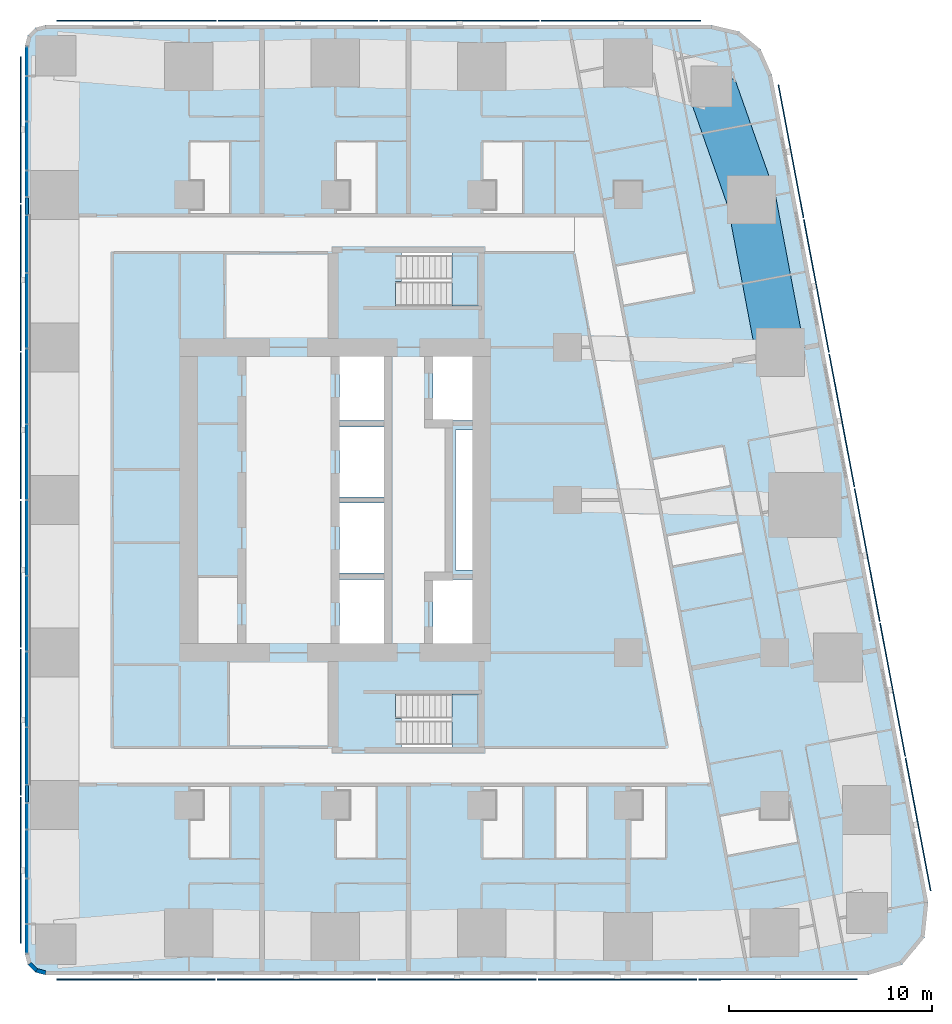
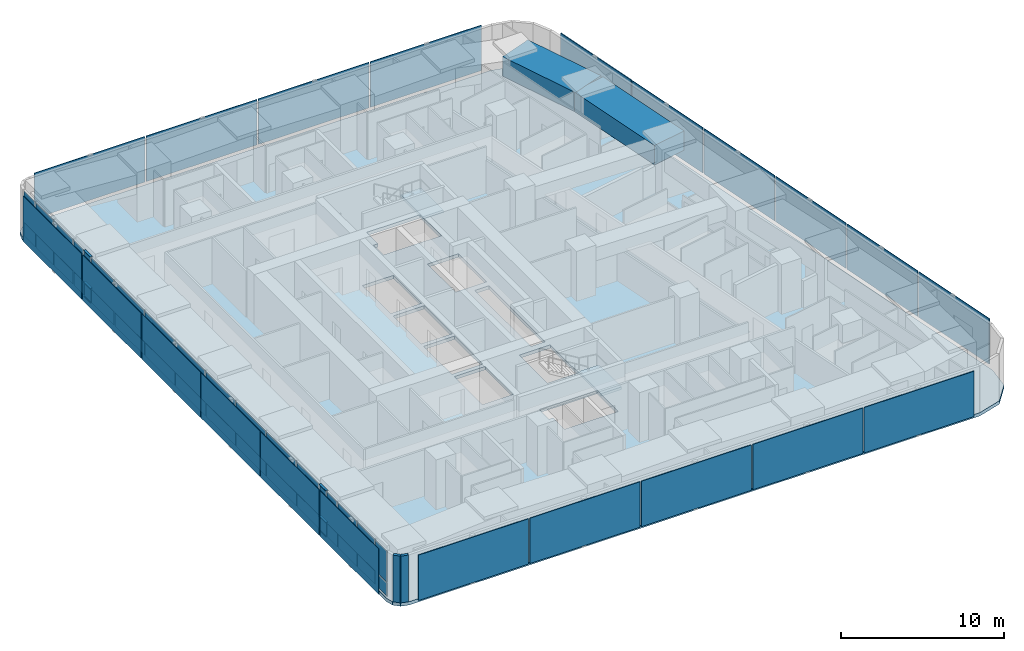
# One storey, part 6 of 17: 57 plates, 6 members, 3 slabs, 2 beams, 2 walls, 3 elements without a shape of their own.
"""IFC4 building model written with IfcOpenShell, lengths in metres."""

from ifc_helpers import new_model, si_unit, direction, frame, frame_2d, origin, origin_2d, place, context, subcontext, project, spatial, polyline, rectangle, outline, extrude, material, layer, layer_set, material_profile, profile_set, type_object, element, aggregate, save


model = new_model("IFC4")

# Units and contexts
model_context = context("Model", 3, precision=1e-05, world=origin(), true_north=direction((0.0, 1.0)))
body_context = subcontext(model_context, "Body", "Model", "MODEL_VIEW")
ifc_project = project(units=[si_unit("LENGTHUNIT", "METRE"), si_unit("AREAUNIT", "SQUARE_METRE"), si_unit("VOLUMEUNIT", "CUBIC_METRE"), si_unit("PLANEANGLEUNIT", "RADIAN"), si_unit("MASSUNIT", "GRAM", prefix="KILO")], contexts=[model_context])

# Site, building, storey
site_placement = place(None, origin())
site = spatial("IfcSite", under=ifc_project, at=site_placement, CompositionType="ELEMENT")
building_placement = place(site_placement, origin())
building = spatial("IfcBuilding", under=site, at=building_placement, Name="Sheger Commons Tower", CompositionType="ELEMENT")
storey_placement = place(building_placement, frame((0.0, 0.0, 208.699951171875)))
storey = spatial("IfcBuildingStorey", under=building, at=storey_placement, Name="L53", CompositionType="ELEMENT", Elevation=208.699951171875)

# Beams
ifc_material_1 = material(Name="Concrete C50/60", Category="concrete")
ifc_material_profile_1 = material_profile(ifc_material_1, rectangle(XDim=2.39990234375, YDim=1.449951171875, at=origin_2d()), Name="RC 2400x1450")
ifc_profile_set_1 = profile_set([ifc_material_profile_1], Name="Concrete C50/60")
beam_type = type_object("IfcBeamType", Name="SPANDREL RC 2400x1450", PredefinedType="SPANDREL", material=ifc_profile_set_1)
beam_1_placement = place(storey_placement, frame((43.47998046875, 29.762939453125, 2.775146484375), z_axis=(-0.18552441405, 0.982639655108, 0.0), x_axis=(-0.982639655108, -0.18552441405, 0.0)))
element("IfcBeam", 1, at=beam_1_placement, inside=storey, type_object=beam_type, Name="Beam E/E-E/F under L54", PredefinedType="SPANDREL", context=body_context, shape_type="SweptSolid", body=[
    extrude(rectangle(XDim=2.39990234375, YDim=1.449951171875, at=origin_2d()), origin(), (0.0, 0.0, 1.0), 7.632568359375),
])
beam_2_placement = place(storey_placement, frame((42.06396484375, 37.262939453125, 2.775146484375), z_axis=(-0.332374403357, 0.943147526102, 0.0), x_axis=(-0.943147526102, -0.332374403357, 0.0)))
element("IfcBeam", 2, at=beam_2_placement, inside=storey, type_object=beam_type, Name="Beam E/F-41.490,44.505 under L54", PredefinedType="SPANDREL", context=body_context, shape_type="SweptSolid", body=[
    extrude(rectangle(XDim=2.39990234375, YDim=1.449951171875, at=origin_2d()), origin(), (0.0, 0.0, 1.0), 5.90283203125),
])

# Curtain wall, members, plates
ifc_material_2 = material(Name="Black aluminium curtain wall, dark tinted glazing", Category="aluminium")
curtain_wall_type = type_object("IfcCurtainWallType", Name="CURTAIN WALL CW4 GALLERY", PredefinedType="USERDEFINED", material=ifc_material_2)
curtain_wall_placement = place(storey_placement, origin())
curtain_wall = element("IfcCurtainWall", 3, at=curtain_wall_placement, inside=storey, type_object=curtain_wall_type, Name="Curtain Wall Cw4 Gallery W1 L53", ObjectType="UNITISED CURTAIN WALL", PredefinedType="USERDEFINED")
ifc_material_3 = material(Name="Black anodised aluminium", Category="aluminium")
ifc_material_profile_2 = material_profile(ifc_material_3, rectangle(XDim=0.14990234375, YDim=0.06494140625, at=origin_2d()), Name="AL 65x150")
ifc_profile_set_2 = profile_set([ifc_material_profile_2], Name="Black anodised aluminium")
member_type = type_object("IfcMemberType", Name="TRANSOM AL 65x150", PredefinedType="USERDEFINED", material=ifc_profile_set_2)
member_1_placement = place(storey_placement, frame((6.449951171875, 37.3583984375, 0.032470703125), z_axis=(0.0, -1.0, 0.0), x_axis=(1.0, 0.0, 0.0)))
member_1 = element("IfcMember", 4, at=member_1_placement, type_object=member_type, Name="CW4 transom 5.1", ObjectType="TRANSOM", PredefinedType="USERDEFINED", context=body_context, shape_type="SweptSolid", body=[
    extrude(rectangle(XDim=0.14990234375, YDim=0.06494140625, at=origin_2d()), origin(), (0.0, 0.0, 1.0), 0.825927734375),
])
member_2_placement = place(storey_placement, frame((6.449951171875, 37.3583984375, 1.10009765625), z_axis=(0.0, -1.0, 0.0), x_axis=(1.0, 0.0, 0.0)))
member_2 = element("IfcMember", 5, at=member_2_placement, type_object=member_type, Name="CW4 transom 5.2", ObjectType="TRANSOM", PredefinedType="USERDEFINED", context=body_context, shape_type="SweptSolid", body=[
    extrude(rectangle(XDim=0.14990234375, YDim=0.06494140625, at=origin_2d()), origin(), (0.0, 0.0, 1.0), 0.825927734375),
])
member_3_placement = place(storey_placement, frame((6.449951171875, 37.3583984375, 3.467529296875), z_axis=(0.0, -1.0, 0.0), x_axis=(1.0, 0.0, 0.0)))
member_3 = element("IfcMember", 6, at=member_3_placement, type_object=member_type, Name="CW4 transom 5.3", ObjectType="TRANSOM", PredefinedType="USERDEFINED", context=body_context, shape_type="SweptSolid", body=[
    extrude(rectangle(XDim=0.14990234375, YDim=0.06494140625, at=origin_2d()), origin(), (0.0, 0.0, 1.0), 0.825927734375),
])
member_4_placement = place(storey_placement, frame((6.449951171875, 8.467529296875, 0.032470703125), z_axis=(0.0, -1.0, 0.0), x_axis=(1.0, 0.0, 0.0)))
member_4 = element("IfcMember", 7, at=member_4_placement, type_object=member_type, Name="CW4 transom 14.1", ObjectType="TRANSOM", PredefinedType="USERDEFINED", context=body_context, shape_type="SweptSolid", body=[
    extrude(rectangle(XDim=0.14990234375, YDim=0.06494140625, at=origin_2d()), origin(), (0.0, 0.0, 1.0), 0.825927734375),
])
member_5_placement = place(storey_placement, frame((6.449951171875, 8.467529296875, 1.10009765625), z_axis=(0.0, -1.0, 0.0), x_axis=(1.0, 0.0, 0.0)))
member_5 = element("IfcMember", 8, at=member_5_placement, type_object=member_type, Name="CW4 transom 14.2", ObjectType="TRANSOM", PredefinedType="USERDEFINED", context=body_context, shape_type="SweptSolid", body=[
    extrude(rectangle(XDim=0.14990234375, YDim=0.06494140625, at=origin_2d()), origin(), (0.0, 0.0, 1.0), 0.825927734375),
])
member_6_placement = place(storey_placement, frame((6.449951171875, 8.467529296875, 3.467529296875), z_axis=(0.0, -1.0, 0.0), x_axis=(1.0, 0.0, 0.0)))
member_6 = element("IfcMember", 9, at=member_6_placement, type_object=member_type, Name="CW4 transom 14.3", ObjectType="TRANSOM", PredefinedType="USERDEFINED", context=body_context, shape_type="SweptSolid", body=[
    extrude(rectangle(XDim=0.14990234375, YDim=0.06494140625, at=origin_2d()), origin(), (0.0, 0.0, 1.0), 0.825927734375),
])
ifc_material_4 = material(Name="Dark tinted double glazing", Category="glass")
ifc_layer_1 = layer(ifc_material_4, 0.031982421875)
ifc_layer_set_1 = layer_set([ifc_layer_1], Name="GLAZED PANEL 32")
plate_type_1 = type_object("IfcPlateType", Name="GLAZED PANEL 32", PredefinedType="CURTAIN_PANEL", material=ifc_layer_set_1)
plate_1_placement = place(storey_placement, frame((6.449951171875, 44.0751953125, 0.065185546875), z_axis=(0.0, 0.0, 1.0), x_axis=(0.0, -1.0, 0.0)))
plate_1 = element("IfcPlate", 10, at=plate_1_placement, type_object=plate_type_1, Name="CW4 panel 1.1", PredefinedType="CURTAIN_PANEL", context=body_context, shape_type="SweptSolid", body=[
    extrude(rectangle(XDim=1.3935546875, YDim=0.031982421875, at=origin_2d()), origin(), (0.0, 0.0, 1.0), 1.00244140625),
])
plate_2_placement = place(storey_placement, frame((6.449951171875, 44.0751953125, 1.13232421875), z_axis=(0.0, 0.0, 1.0), x_axis=(0.0, -1.0, 0.0)))
plate_2 = element("IfcPlate", 11, at=plate_2_placement, type_object=plate_type_1, Name="CW4 panel 1.2", PredefinedType="CURTAIN_PANEL", context=body_context, shape_type="SweptSolid", body=[
    extrude(rectangle(XDim=1.3935546875, YDim=0.031982421875, at=origin_2d()), origin(), (0.0, 0.0, 1.0), 2.302490234375),
])
plate_3_placement = place(storey_placement, frame((6.449951171875, 42.22998046875, 0.065185546875), z_axis=(0.0, 0.0, 1.0), x_axis=(0.0, -1.0, 0.0)))
plate_3 = element("IfcPlate", 12, at=plate_3_placement, type_object=plate_type_1, Name="CW4 panel 2.1", PredefinedType="CURTAIN_PANEL", context=body_context, shape_type="SweptSolid", body=[
    extrude(rectangle(XDim=2.1669921875, YDim=0.031982421875, at=origin_2d()), origin(), (0.0, 0.0, 1.0), 1.00244140625),
])
plate_4_placement = place(storey_placement, frame((6.449951171875, 42.22998046875, 1.13232421875), z_axis=(0.0, 0.0, 1.0), x_axis=(0.0, -1.0, 0.0)))
plate_4 = element("IfcPlate", 13, at=plate_4_placement, type_object=plate_type_1, Name="CW4 panel 2.2", PredefinedType="CURTAIN_PANEL", context=body_context, shape_type="SweptSolid", body=[
    extrude(rectangle(XDim=2.1669921875, YDim=0.031982421875, at=origin_2d()), origin(), (0.0, 0.0, 1.0), 2.302490234375),
])
plate_5_placement = place(storey_placement, frame((6.449951171875, 39.906982421875, 0.065185546875), z_axis=(0.0, 0.0, 1.0), x_axis=(0.0, -1.0, 0.0)))
plate_5 = element("IfcPlate", 14, at=plate_5_placement, type_object=plate_type_1, Name="CW4 panel 3.1", PredefinedType="CURTAIN_PANEL", context=body_context, shape_type="SweptSolid", body=[
    extrude(rectangle(XDim=2.34912109375, YDim=0.031982421875, at=origin_2d()), origin(), (0.0, 0.0, 1.0), 1.00244140625),
])
plate_6_placement = place(storey_placement, frame((6.449951171875, 39.906982421875, 1.13232421875), z_axis=(0.0, 0.0, 1.0), x_axis=(0.0, -1.0, 0.0)))
plate_6 = element("IfcPlate", 15, at=plate_6_placement, type_object=plate_type_1, Name="CW4 panel 3.2", PredefinedType="CURTAIN_PANEL", context=body_context, shape_type="SweptSolid", body=[
    extrude(rectangle(XDim=2.34912109375, YDim=0.031982421875, at=origin_2d()), origin(), (0.0, 0.0, 1.0), 2.302490234375),
])
plate_7_placement = place(storey_placement, frame((6.449951171875, 38.04541015625, 0.065185546875), z_axis=(0.0, 0.0, 1.0), x_axis=(0.0, -1.0, 0.0)))
plate_7 = element("IfcPlate", 16, at=plate_7_placement, type_object=plate_type_1, Name="CW4 panel 4.1", PredefinedType="CURTAIN_PANEL", context=body_context, shape_type="SweptSolid", body=[
    extrude(rectangle(XDim=1.243896484375, YDim=0.031982421875, at=origin_2d()), origin(), (0.0, 0.0, 1.0), 1.00244140625),
])
plate_8_placement = place(storey_placement, frame((6.449951171875, 38.04541015625, 1.13232421875), z_axis=(0.0, 0.0, 1.0), x_axis=(0.0, -1.0, 0.0)))
plate_8 = element("IfcPlate", 17, at=plate_8_placement, type_object=plate_type_1, Name="CW4 panel 4.2", PredefinedType="CURTAIN_PANEL", context=body_context, shape_type="SweptSolid", body=[
    extrude(rectangle(XDim=1.243896484375, YDim=0.031982421875, at=origin_2d()), origin(), (0.0, 0.0, 1.0), 2.302490234375),
])
plate_9_placement = place(storey_placement, frame((6.449951171875, 36.945556640625, 0.065185546875), z_axis=(0.0, 0.0, 1.0), x_axis=(0.0, -1.0, 0.0)))
plate_9 = element("IfcPlate", 18, at=plate_9_placement, type_object=plate_type_1, Name="CW4 panel 5.1", PredefinedType="CURTAIN_PANEL", context=body_context, shape_type="SweptSolid", body=[
    extrude(rectangle(XDim=0.825927734375, YDim=0.031982421875, at=origin_2d()), origin(), (0.0, 0.0, 1.0), 1.00244140625),
])
plate_10_placement = place(storey_placement, frame((6.449951171875, 36.945556640625, 1.13232421875), z_axis=(0.0, 0.0, 1.0), x_axis=(0.0, -1.0, 0.0)))
plate_10 = element("IfcPlate", 19, at=plate_10_placement, type_object=plate_type_1, Name="CW4 panel 5.2", PredefinedType="CURTAIN_PANEL", context=body_context, shape_type="SweptSolid", body=[
    extrude(rectangle(XDim=0.825927734375, YDim=0.031982421875, at=origin_2d()), origin(), (0.0, 0.0, 1.0), 2.302490234375),
])
plate_11_placement = place(storey_placement, frame((6.449951171875, 35.083984375, 0.065185546875), z_axis=(0.0, 0.0, 1.0), x_axis=(0.0, -1.0, 0.0)))
plate_11 = element("IfcPlate", 20, at=plate_11_placement, type_object=plate_type_1, Name="CW4 panel 6.1", PredefinedType="CURTAIN_PANEL", context=body_context, shape_type="SweptSolid", body=[
    extrude(rectangle(XDim=2.76708984375, YDim=0.031982421875, at=origin_2d()), origin(), (0.0, 0.0, 1.0), 1.00244140625),
])
plate_12_placement = place(storey_placement, frame((6.449951171875, 35.083984375, 1.13232421875), z_axis=(0.0, 0.0, 1.0), x_axis=(0.0, -1.0, 0.0)))
plate_12 = element("IfcPlate", 21, at=plate_12_placement, type_object=plate_type_1, Name="CW4 panel 6.2", PredefinedType="CURTAIN_PANEL", context=body_context, shape_type="SweptSolid", body=[
    extrude(rectangle(XDim=2.76708984375, YDim=0.031982421875, at=origin_2d()), origin(), (0.0, 0.0, 1.0), 2.302490234375),
])
plate_13_placement = place(storey_placement, frame((6.449951171875, 31.806884765625, 0.065185546875), z_axis=(0.0, 0.0, 1.0), x_axis=(0.0, -1.0, 0.0)))
plate_13 = element("IfcPlate", 22, at=plate_13_placement, type_object=plate_type_1, Name="CW4 panel 7.1", PredefinedType="CURTAIN_PANEL", context=body_context, shape_type="SweptSolid", body=[
    extrude(rectangle(XDim=3.656982421875, YDim=0.031982421875, at=origin_2d()), origin(), (0.0, 0.0, 1.0), 1.00244140625),
])
plate_14_placement = place(storey_placement, frame((6.449951171875, 31.806884765625, 1.13232421875), z_axis=(0.0, 0.0, 1.0), x_axis=(0.0, -1.0, 0.0)))
plate_14 = element("IfcPlate", 23, at=plate_14_placement, type_object=plate_type_1, Name="CW4 panel 7.2", PredefinedType="CURTAIN_PANEL", context=body_context, shape_type="SweptSolid", body=[
    extrude(rectangle(XDim=3.656982421875, YDim=0.031982421875, at=origin_2d()), origin(), (0.0, 0.0, 1.0), 2.302490234375),
])
plate_15_placement = place(storey_placement, frame((6.449951171875, 28.08447265625, 0.065185546875), z_axis=(0.0, 0.0, 1.0), x_axis=(0.0, -1.0, 0.0)))
plate_15 = element("IfcPlate", 24, at=plate_15_placement, type_object=plate_type_1, Name="CW4 panel 8.1", PredefinedType="CURTAIN_PANEL", context=body_context, shape_type="SweptSolid", body=[
    extrude(rectangle(XDim=3.657958984375, YDim=0.031982421875, at=origin_2d()), origin(), (0.0, 0.0, 1.0), 1.00244140625),
])
plate_16_placement = place(storey_placement, frame((6.449951171875, 28.08447265625, 1.13232421875), z_axis=(0.0, 0.0, 1.0), x_axis=(0.0, -1.0, 0.0)))
plate_16 = element("IfcPlate", 25, at=plate_16_placement, type_object=plate_type_1, Name="CW4 panel 8.2", PredefinedType="CURTAIN_PANEL", context=body_context, shape_type="SweptSolid", body=[
    extrude(rectangle(XDim=3.657958984375, YDim=0.031982421875, at=origin_2d()), origin(), (0.0, 0.0, 1.0), 2.302490234375),
])
plate_17_placement = place(storey_placement, frame((6.449951171875, 24.361572265625, 0.065185546875), z_axis=(0.0, 0.0, 1.0), x_axis=(0.0, -1.0, 0.0)))
plate_17 = element("IfcPlate", 26, at=plate_17_placement, type_object=plate_type_1, Name="CW4 panel 9.1", PredefinedType="CURTAIN_PANEL", context=body_context, shape_type="SweptSolid", body=[
    extrude(rectangle(XDim=3.657958984375, YDim=0.031982421875, at=origin_2d()), origin(), (0.0, 0.0, 1.0), 1.00244140625),
])
plate_18_placement = place(storey_placement, frame((6.449951171875, 24.361572265625, 1.13232421875), z_axis=(0.0, 0.0, 1.0), x_axis=(0.0, -1.0, 0.0)))
plate_18 = element("IfcPlate", 27, at=plate_18_placement, type_object=plate_type_1, Name="CW4 panel 9.2", PredefinedType="CURTAIN_PANEL", context=body_context, shape_type="SweptSolid", body=[
    extrude(rectangle(XDim=3.657958984375, YDim=0.031982421875, at=origin_2d()), origin(), (0.0, 0.0, 1.0), 2.302490234375),
])
plate_19_placement = place(storey_placement, frame((6.449951171875, 20.638427734375, 0.065185546875), z_axis=(0.0, 0.0, 1.0), x_axis=(0.0, -1.0, 0.0)))
plate_19 = element("IfcPlate", 28, at=plate_19_placement, type_object=plate_type_1, Name="CW4 panel 10.1", PredefinedType="CURTAIN_PANEL", context=body_context, shape_type="SweptSolid", body=[
    extrude(rectangle(XDim=3.657958984375, YDim=0.031982421875, at=origin_2d()), origin(), (0.0, 0.0, 1.0), 1.00244140625),
])
plate_20_placement = place(storey_placement, frame((6.449951171875, 20.638427734375, 1.13232421875), z_axis=(0.0, 0.0, 1.0), x_axis=(0.0, -1.0, 0.0)))
plate_20 = element("IfcPlate", 29, at=plate_20_placement, type_object=plate_type_1, Name="CW4 panel 10.2", PredefinedType="CURTAIN_PANEL", context=body_context, shape_type="SweptSolid", body=[
    extrude(rectangle(XDim=3.657958984375, YDim=0.031982421875, at=origin_2d()), origin(), (0.0, 0.0, 1.0), 2.302490234375),
])
plate_21_placement = place(storey_placement, frame((6.449951171875, 16.91552734375, 0.065185546875), z_axis=(0.0, 0.0, 1.0), x_axis=(0.0, -1.0, 0.0)))
plate_21 = element("IfcPlate", 30, at=plate_21_placement, type_object=plate_type_1, Name="CW4 panel 11.1", PredefinedType="CURTAIN_PANEL", context=body_context, shape_type="SweptSolid", body=[
    extrude(rectangle(XDim=3.657958984375, YDim=0.031982421875, at=origin_2d()), origin(), (0.0, 0.0, 1.0), 1.00244140625),
])
plate_22_placement = place(storey_placement, frame((6.449951171875, 16.91552734375, 1.13232421875), z_axis=(0.0, 0.0, 1.0), x_axis=(0.0, -1.0, 0.0)))
plate_22 = element("IfcPlate", 31, at=plate_22_placement, type_object=plate_type_1, Name="CW4 panel 11.2", PredefinedType="CURTAIN_PANEL", context=body_context, shape_type="SweptSolid", body=[
    extrude(rectangle(XDim=3.657958984375, YDim=0.031982421875, at=origin_2d()), origin(), (0.0, 0.0, 1.0), 2.302490234375),
])
plate_23_placement = place(storey_placement, frame((6.449951171875, 13.1923828125, 0.065185546875), z_axis=(0.0, 0.0, 1.0), x_axis=(0.0, -1.0, 0.0)))
plate_23 = element("IfcPlate", 32, at=plate_23_placement, type_object=plate_type_1, Name="CW4 panel 12.1", PredefinedType="CURTAIN_PANEL", context=body_context, shape_type="SweptSolid", body=[
    extrude(rectangle(XDim=3.657958984375, YDim=0.031982421875, at=origin_2d()), origin(), (0.0, 0.0, 1.0), 1.00244140625),
])
plate_24_placement = place(storey_placement, frame((6.449951171875, 13.1923828125, 1.13232421875), z_axis=(0.0, 0.0, 1.0), x_axis=(0.0, -1.0, 0.0)))
plate_24 = element("IfcPlate", 33, at=plate_24_placement, type_object=plate_type_1, Name="CW4 panel 12.2", PredefinedType="CURTAIN_PANEL", context=body_context, shape_type="SweptSolid", body=[
    extrude(rectangle(XDim=3.657958984375, YDim=0.031982421875, at=origin_2d()), origin(), (0.0, 0.0, 1.0), 2.302490234375),
])
plate_25_placement = place(storey_placement, frame((6.449951171875, 9.91552734375, 0.065185546875), z_axis=(0.0, 0.0, 1.0), x_axis=(0.0, -1.0, 0.0)))
plate_25 = element("IfcPlate", 34, at=plate_25_placement, type_object=plate_type_1, Name="CW4 panel 13.1", PredefinedType="CURTAIN_PANEL", context=body_context, shape_type="SweptSolid", body=[
    extrude(rectangle(XDim=2.76611328125, YDim=0.031982421875, at=origin_2d()), origin(), (0.0, 0.0, 1.0), 1.00244140625),
])
plate_26_placement = place(storey_placement, frame((6.449951171875, 9.91552734375, 1.13232421875), z_axis=(0.0, 0.0, 1.0), x_axis=(0.0, -1.0, 0.0)))
plate_26 = element("IfcPlate", 35, at=plate_26_placement, type_object=plate_type_1, Name="CW4 panel 13.2", PredefinedType="CURTAIN_PANEL", context=body_context, shape_type="SweptSolid", body=[
    extrude(rectangle(XDim=2.76611328125, YDim=0.031982421875, at=origin_2d()), origin(), (0.0, 0.0, 1.0), 2.302490234375),
])
plate_27_placement = place(storey_placement, frame((6.449951171875, 8.054443359375, 0.065185546875), z_axis=(0.0, 0.0, 1.0), x_axis=(0.0, -1.0, 0.0)))
plate_27 = element("IfcPlate", 36, at=plate_27_placement, type_object=plate_type_1, Name="CW4 panel 14.1", PredefinedType="CURTAIN_PANEL", context=body_context, shape_type="SweptSolid", body=[
    extrude(rectangle(XDim=0.825927734375, YDim=0.031982421875, at=origin_2d()), origin(), (0.0, 0.0, 1.0), 1.00244140625),
])
plate_28_placement = place(storey_placement, frame((6.449951171875, 8.054443359375, 1.13232421875), z_axis=(0.0, 0.0, 1.0), x_axis=(0.0, -1.0, 0.0)))
plate_28 = element("IfcPlate", 37, at=plate_28_placement, type_object=plate_type_1, Name="CW4 panel 14.2", PredefinedType="CURTAIN_PANEL", context=body_context, shape_type="SweptSolid", body=[
    extrude(rectangle(XDim=0.825927734375, YDim=0.031982421875, at=origin_2d()), origin(), (0.0, 0.0, 1.0), 2.302490234375),
])
plate_29_placement = place(storey_placement, frame((6.449951171875, 6.95458984375, 0.065185546875), z_axis=(0.0, 0.0, 1.0), x_axis=(0.0, -1.0, 0.0)))
plate_29 = element("IfcPlate", 38, at=plate_29_placement, type_object=plate_type_1, Name="CW4 panel 15.1", PredefinedType="CURTAIN_PANEL", context=body_context, shape_type="SweptSolid", body=[
    extrude(rectangle(XDim=1.243896484375, YDim=0.031982421875, at=origin_2d()), origin(), (0.0, 0.0, 1.0), 1.00244140625),
])
plate_30_placement = place(storey_placement, frame((6.449951171875, 6.95458984375, 1.13232421875), z_axis=(0.0, 0.0, 1.0), x_axis=(0.0, -1.0, 0.0)))
plate_30 = element("IfcPlate", 39, at=plate_30_placement, type_object=plate_type_1, Name="CW4 panel 15.2", PredefinedType="CURTAIN_PANEL", context=body_context, shape_type="SweptSolid", body=[
    extrude(rectangle(XDim=1.243896484375, YDim=0.031982421875, at=origin_2d()), origin(), (0.0, 0.0, 1.0), 2.302490234375),
])
plate_31_placement = place(storey_placement, frame((6.449951171875, 5.093017578125, 0.065185546875), z_axis=(0.0, 0.0, 1.0), x_axis=(0.0, -1.0, 0.0)))
plate_31 = element("IfcPlate", 40, at=plate_31_placement, type_object=plate_type_1, Name="CW4 panel 16.1", PredefinedType="CURTAIN_PANEL", context=body_context, shape_type="SweptSolid", body=[
    extrude(rectangle(XDim=2.34912109375, YDim=0.031982421875, at=origin_2d()), origin(), (0.0, 0.0, 1.0), 1.00244140625),
])
plate_32_placement = place(storey_placement, frame((6.449951171875, 5.093017578125, 1.13232421875), z_axis=(0.0, 0.0, 1.0), x_axis=(0.0, -1.0, 0.0)))
plate_32 = element("IfcPlate", 41, at=plate_32_placement, type_object=plate_type_1, Name="CW4 panel 16.2", PredefinedType="CURTAIN_PANEL", context=body_context, shape_type="SweptSolid", body=[
    extrude(rectangle(XDim=2.34912109375, YDim=0.031982421875, at=origin_2d()), origin(), (0.0, 0.0, 1.0), 2.302490234375),
])
plate_33_placement = place(storey_placement, frame((6.449951171875, 2.77001953125, 0.065185546875), z_axis=(0.0, 0.0, 1.0), x_axis=(0.0, -1.0, 0.0)))
plate_33 = element("IfcPlate", 42, at=plate_33_placement, type_object=plate_type_1, Name="CW4 panel 17.1", PredefinedType="CURTAIN_PANEL", context=body_context, shape_type="SweptSolid", body=[
    extrude(rectangle(XDim=2.1669921875, YDim=0.031982421875, at=origin_2d()), origin(), (0.0, 0.0, 1.0), 1.00244140625),
])
plate_34_placement = place(storey_placement, frame((6.449951171875, 2.77001953125, 1.13232421875), z_axis=(0.0, 0.0, 1.0), x_axis=(0.0, -1.0, 0.0)))
plate_34 = element("IfcPlate", 43, at=plate_34_placement, type_object=plate_type_1, Name="CW4 panel 17.2", PredefinedType="CURTAIN_PANEL", context=body_context, shape_type="SweptSolid", body=[
    extrude(rectangle(XDim=2.1669921875, YDim=0.031982421875, at=origin_2d()), origin(), (0.0, 0.0, 1.0), 2.302490234375),
])
plate_35_placement = place(storey_placement, frame((6.449951171875, 0.9248046875, 0.065185546875), z_axis=(0.0, 0.0, 1.0), x_axis=(0.0, -1.0, 0.0)))
plate_35 = element("IfcPlate", 44, at=plate_35_placement, type_object=plate_type_1, Name="CW4 panel 18.1", PredefinedType="CURTAIN_PANEL", context=body_context, shape_type="SweptSolid", body=[
    extrude(rectangle(XDim=1.3935546875, YDim=0.031982421875, at=origin_2d()), origin(), (0.0, 0.0, 1.0), 1.00244140625),
])
plate_36_placement = place(storey_placement, frame((6.449951171875, 0.9248046875, 1.13232421875), z_axis=(0.0, 0.0, 1.0), x_axis=(0.0, -1.0, 0.0)))
plate_36 = element("IfcPlate", 45, at=plate_36_placement, type_object=plate_type_1, Name="CW4 panel 18.2", PredefinedType="CURTAIN_PANEL", context=body_context, shape_type="SweptSolid", body=[
    extrude(rectangle(XDim=1.3935546875, YDim=0.031982421875, at=origin_2d()), origin(), (0.0, 0.0, 1.0), 2.302490234375),
])
aggregate(curtain_wall, [plate_1, plate_2, plate_3, plate_4, plate_5, plate_6, plate_7, plate_8, member_1, member_2, member_3, plate_9, plate_10, plate_11, plate_12, plate_13, plate_14, plate_15, plate_16, plate_17, plate_18, plate_19, plate_20, plate_21, plate_22, plate_23, plate_24, plate_25, plate_26, member_4, member_5, member_6, plate_27, plate_28, plate_29, plate_30, plate_31, plate_32, plate_33, plate_34, plate_35, plate_36])

# Slab
ifc_material_5 = material(Name="Concrete C35/45", Category="concrete")
ifc_layer_2 = layer(ifc_material_5, 0.25)
ifc_layer_set_2 = layer_set([ifc_layer_2], Name="SLAB FLOOR 250")
slab_type_1 = type_object("IfcSlabType", Name="SLAB FLOOR 250", PredefinedType="FLOOR", material=ifc_layer_set_2)
slab_1_placement = place(storey_placement, frame((0.0, 0.0, -0.25)))
element("IfcSlab", 46, at=slab_1_placement, inside=storey, type_object=slab_type_1, Name="L53 floor slab", PredefinedType="FLOOR", context=body_context, shape_type="SweptSolid", body=[
    extrude(outline(polyline([(6.35009765625, 0.14990234375), (6.48388671875, -0.35009765625), (6.85009765625, -0.716064453125), (7.35009765625, -0.85009765625), (47.805908203125, -0.85009765625), (49.465087890625, -0.35009765625), (50.570068359375, 0.98388671875), (50.75390625, 2.70703125), (43.06591796875, 43.406982421875), (42.509033203125, 44.660888671875), (41.452880859375, 45.535888671875), (40.117919921875, 45.85009765625), (7.35009765625, 45.85009765625), (6.85009765625, 45.716064453125), (6.48388671875, 45.35009765625), (6.35009765625, 44.85009765625), (6.35009765625, 0.14990234375)]), holes=[polyline([(24.85009765625, 10.35009765625), (28.64990234375, 10.35009765625), (28.64990234375, 12.949951171875), (24.551025390625, 12.949951171875), (24.551025390625, 11.75), (24.85009765625, 11.75), (24.85009765625, 10.35009765625)]), polyline([(24.551025390625, 32.050048828125), (28.64990234375, 32.050048828125), (28.64990234375, 34.64990234375), (24.85009765625, 34.64990234375), (24.85009765625, 33.25), (24.551025390625, 33.25), (24.551025390625, 32.050048828125)]), polyline([(26.39990234375, 15.14990234375), (28.60009765625, 15.14990234375), (28.60009765625, 18.60009765625), (26.39990234375, 18.60009765625), (26.39990234375, 15.14990234375)]), polyline([(26.39990234375, 26.39990234375), (28.60009765625, 26.39990234375), (28.60009765625, 29.85009765625), (26.39990234375, 29.85009765625), (26.39990234375, 26.39990234375)]), polyline([(21.800048828125, 15.14990234375), (24.0, 15.14990234375), (24.0, 18.60009765625), (21.800048828125, 18.60009765625), (21.800048828125, 15.14990234375)]), polyline([(21.800048828125, 18.89990234375), (24.0, 18.89990234375), (24.0, 22.35009765625), (21.800048828125, 22.35009765625), (21.800048828125, 18.89990234375)]), polyline([(21.800048828125, 22.64990234375), (24.0, 22.64990234375), (24.0, 26.10009765625), (21.800048828125, 26.10009765625), (21.800048828125, 22.64990234375)]), polyline([(21.800048828125, 26.39990234375), (24.0, 26.39990234375), (24.0, 29.85009765625), (21.800048828125, 29.85009765625), (21.800048828125, 26.39990234375)]), polyline([(27.5, 19.050048828125), (28.5, 19.050048828125), (28.5, 25.949951171875), (27.5, 25.949951171875), (27.5, 19.050048828125)])]), origin(), (0.0, 0.0, 1.0), 0.25),
])

# Plates
ifc_material_6 = material(Name="Perforated black anodised aluminium screen", Category="aluminium")
ifc_layer_3 = layer(ifc_material_6, 0.050048828125)
ifc_layer_set_3 = layer_set([ifc_layer_3], Name="SOLAR SCREEN SCREEN-1")
plate_type_2 = type_object("IfcPlateType", Name="SOLAR SCREEN SCREEN-1", PredefinedType="USERDEFINED", material=ifc_layer_set_3)
for number, where, z_axis, x_axis, name in (
    (47, (11.7958984375, -1.074951171875, 0.050048828125), (0.0, 0.0, 1.0), (1.0, 0.0, 0.0), "Perforated solar screen panel"),
    (48, (19.68701171875, -1.074951171875, 0.050048828125), (0.0, 0.0, 1.0), (1.0, 0.0, 0.0), "Perforated solar screen panel"),
    (49, (27.577880859375, -1.074951171875, 0.050048828125), (0.0, 0.0, 1.0), (1.0, 0.0, 0.0), "Perforated solar screen panel"),
    (50, (35.468994140625, -1.074951171875, 0.050048828125), (0.0, 0.0, 1.0), (1.0, 0.0, 0.0), "Perforated solar screen panel"),
    (51, (43.360107421875, -1.074951171875, 0.050048828125), (0.0, 0.0, 1.0), (1.0, 0.0, 0.0), "Perforated solar screen panel"),
):
    element("IfcPlate", number, at=place(storey_placement, frame(where, z_axis=z_axis, x_axis=x_axis)), inside=storey, type_object=plate_type_2, Name=name, ObjectType="SCREEN", PredefinedType="USERDEFINED", context=body_context, shape_type="SweptSolid", body=[
        extrude(rectangle(XDim=7.791015625, YDim=0.050048828125, at=origin_2d()), origin(), (0.0, 0.0, 1.0), 3.39990234375),
    ])
for number, where, z_axis, x_axis, name in (
    (52, (50.257080078125, 6.550048828125, 0.050048828125), (0.0, 0.0, 1.0), (-0.185615165645, 0.982622516678, 0.0), "Perforated solar screen panel"),
    (53, (49.007080078125, 13.1689453125, 0.050048828125), (0.0, 0.0, 1.0), (-0.185615165645, 0.982622516678, 0.0), "Perforated solar screen panel"),
    (54, (47.756103515625, 19.7890625, 0.050048828125), (0.0, 0.0, 1.0), (-0.185615165645, 0.982622516678, 0.0), "Perforated solar screen panel"),
    (55, (46.506103515625, 26.408935546875, 0.050048828125), (0.0, 0.0, 1.0), (-0.185615165645, 0.982622516678, 0.0), "Perforated solar screen panel"),
    (56, (45.2548828125, 33.028076171875, 0.050048828125), (0.0, 0.0, 1.0), (-0.185615165645, 0.982622516678, 0.0), "Perforated solar screen panel"),
    (57, (44.0048828125, 39.64794921875, 0.050048828125), (0.0, 0.0, 1.0), (-0.185615165645, 0.982622516678, 0.0), "Perforated solar screen panel"),
):
    element("IfcPlate", number, at=place(storey_placement, frame(where, z_axis=z_axis, x_axis=x_axis)), inside=storey, type_object=plate_type_2, Name=name, ObjectType="SCREEN", PredefinedType="USERDEFINED", context=body_context, shape_type="SweptSolid", body=[
        extrude(rectangle(XDim=6.636962890625, YDim=0.050048828125, at=origin_2d()), origin(), (0.0, 0.0, 1.0), 3.39990234375),
    ])
for number, where, z_axis, x_axis, name in (
    (58, (35.64697265625, 46.074951171875, 0.050048828125), (0.0, 0.0, 1.0), (-1.0, 0.0, 0.0), "Perforated solar screen panel"),
    (59, (27.705078125, 46.074951171875, 0.050048828125), (0.0, 0.0, 1.0), (-1.0, 0.0, 0.0), "Perforated solar screen panel"),
    (60, (19.762939453125, 46.074951171875, 0.050048828125), (0.0, 0.0, 1.0), (-1.0, 0.0, 0.0), "Perforated solar screen panel"),
    (61, (11.821044921875, 46.074951171875, 0.050048828125), (0.0, 0.0, 1.0), (-1.0, 0.0, 0.0), "Perforated solar screen panel"),
):
    element("IfcPlate", number, at=place(storey_placement, frame(where, z_axis=z_axis, x_axis=x_axis)), inside=storey, type_object=plate_type_2, Name=name, ObjectType="SCREEN", PredefinedType="USERDEFINED", context=body_context, shape_type="SweptSolid", body=[
        extrude(rectangle(XDim=7.842041015625, YDim=0.050048828125, at=origin_2d()), origin(), (0.0, 0.0, 1.0), 3.39990234375),
    ])
for number, where, z_axis, x_axis, name in (
    (62, (6.125, 40.7080078125, 0.050048828125), (0.0, 0.0, 1.0), (0.0, -1.0, 0.0), "Perforated solar screen panel"),
    (63, (6.125, 33.425048828125, 0.050048828125), (0.0, 0.0, 1.0), (0.0, -1.0, 0.0), "Perforated solar screen panel"),
    (64, (6.125, 26.14208984375, 0.050048828125), (0.0, 0.0, 1.0), (0.0, -1.0, 0.0), "Perforated solar screen panel"),
    (65, (6.125, 18.85791015625, 0.050048828125), (0.0, 0.0, 1.0), (0.0, -1.0, 0.0), "Perforated solar screen panel"),
    (66, (6.125, 11.574951171875, 0.050048828125), (0.0, 0.0, 1.0), (0.0, -1.0, 0.0), "Perforated solar screen panel"),
    (67, (6.125, 4.2919921875, 0.050048828125), (0.0, 0.0, 1.0), (0.0, -1.0, 0.0), "Perforated solar screen panel"),
):
    element("IfcPlate", number, at=place(storey_placement, frame(where, z_axis=z_axis, x_axis=x_axis)), inside=storey, type_object=plate_type_2, Name=name, ObjectType="SCREEN", PredefinedType="USERDEFINED", context=body_context, shape_type="SweptSolid", body=[
        extrude(rectangle(XDim=7.18310546875, YDim=0.050048828125, at=origin_2d()), origin(), (0.0, 0.0, 1.0), 3.39990234375),
    ])

# Stair, slab
ifc_material_7 = material(Name="Concrete C35/45", Category="concrete")
stair_type = type_object("IfcStairType", Name="HALF-TURN STAIR 1200 RISE 3750", PredefinedType="HALF_TURN_STAIR", material=ifc_material_7)
stair_1_placement = place(storey_placement, origin())
stair_1 = element("IfcStair", 68, at=stair_1_placement, inside=storey, type_object=stair_type, Name="Stair S1 L53", PredefinedType="HALF_TURN_STAIR")
ifc_material_8 = material(Name="Concrete C35/45", Category="concrete")
ifc_layer_4 = layer(ifc_material_8, 0.199951171875)
ifc_layer_set_4 = layer_set([ifc_layer_4], Name="STAIR LANDING 200")
slab_type_2 = type_object("IfcSlabType", Name="STAIR LANDING 200", PredefinedType="LANDING", material=ifc_layer_set_4)
slab_2_placement = place(storey_placement, frame((0.0, 0.0, 1.675048828125)))
slab_2 = element("IfcSlab", 69, at=slab_2_placement, type_object=slab_type_2, Name="S1 landing 1", PredefinedType="LANDING", context=body_context, shape_type="SweptSolid", body=[
    extrude(outline(polyline([(27.35009765625, 10.199951171875), (28.800048828125, 10.199951171875), (28.800048828125, 12.949951171875), (27.35009765625, 12.949951171875), (27.35009765625, 10.199951171875)])), origin(), (0.0, 0.0, 1.0), 0.199951171875),
])
aggregate(stair_1, [slab_2])

stair_2_placement = place(storey_placement, origin())
stair_2 = element("IfcStair", 70, at=stair_2_placement, inside=storey, type_object=stair_type, Name="Stair S2 L53", PredefinedType="HALF_TURN_STAIR")
slab_3_placement = place(storey_placement, frame((0.0, 0.0, 1.675048828125)))
slab_3 = element("IfcSlab", 71, at=slab_3_placement, type_object=slab_type_2, Name="S2 landing 1", PredefinedType="LANDING", context=body_context, shape_type="SweptSolid", body=[
    extrude(outline(polyline([(27.35009765625, 32.050048828125), (28.800048828125, 32.050048828125), (28.800048828125, 34.800048828125), (27.35009765625, 34.800048828125), (27.35009765625, 32.050048828125)])), origin(), (0.0, 0.0, 1.0), 0.199951171875),
])
aggregate(stair_2, [slab_3])

# Walls
ifc_material_9 = material(Name="Rendered concrete block masonry, dark grey", Category="masonry")
ifc_layer_5 = layer(ifc_material_9, 0.199951171875)
ifc_layer_set_5 = layer_set([ifc_layer_5], Name="FACADE WALL 200")
wall_type = type_object("IfcWallType", Name="FACADE WALL 200", PredefinedType="SOLIDWALL", material=ifc_layer_set_5)
wall_1_placement = place(storey_placement, frame((6.573974609375, -0.298095703125, 0.0), z_axis=(0.0, 0.0, 1.0), x_axis=(0.707369890659, -0.706843573776, 0.0)))
element("IfcWall", 72, at=wall_1_placement, inside=storey, type_object=wall_type, Name="Facade wall L53", PredefinedType="SOLIDWALL", context=body_context, shape_type="SweptSolid", body=[
    extrude(rectangle(XDim=0.4638671875, YDim=0.199951171875, at=frame_2d((0.23193359375, 0.0))), origin(), (0.0, 0.0, 1.0), 3.5),
])
wall_2_placement = place(storey_placement, frame((6.902099609375, -0.6259765625, 0.0), z_axis=(0.0, 0.0, 1.0), x_axis=(0.965655254015, -0.259826731483, 0.0)))
element("IfcWall", 73, at=wall_2_placement, inside=storey, type_object=wall_type, Name="Facade wall L53", PredefinedType="SOLIDWALL", context=body_context, shape_type="SweptSolid", body=[
    extrude(rectangle(XDim=0.477294921875, YDim=0.199951171875, at=frame_2d((0.23876953125, 0.0))), origin(), (0.0, 0.0, 1.0), 3.5),
])

save(model, "model.ifc")
